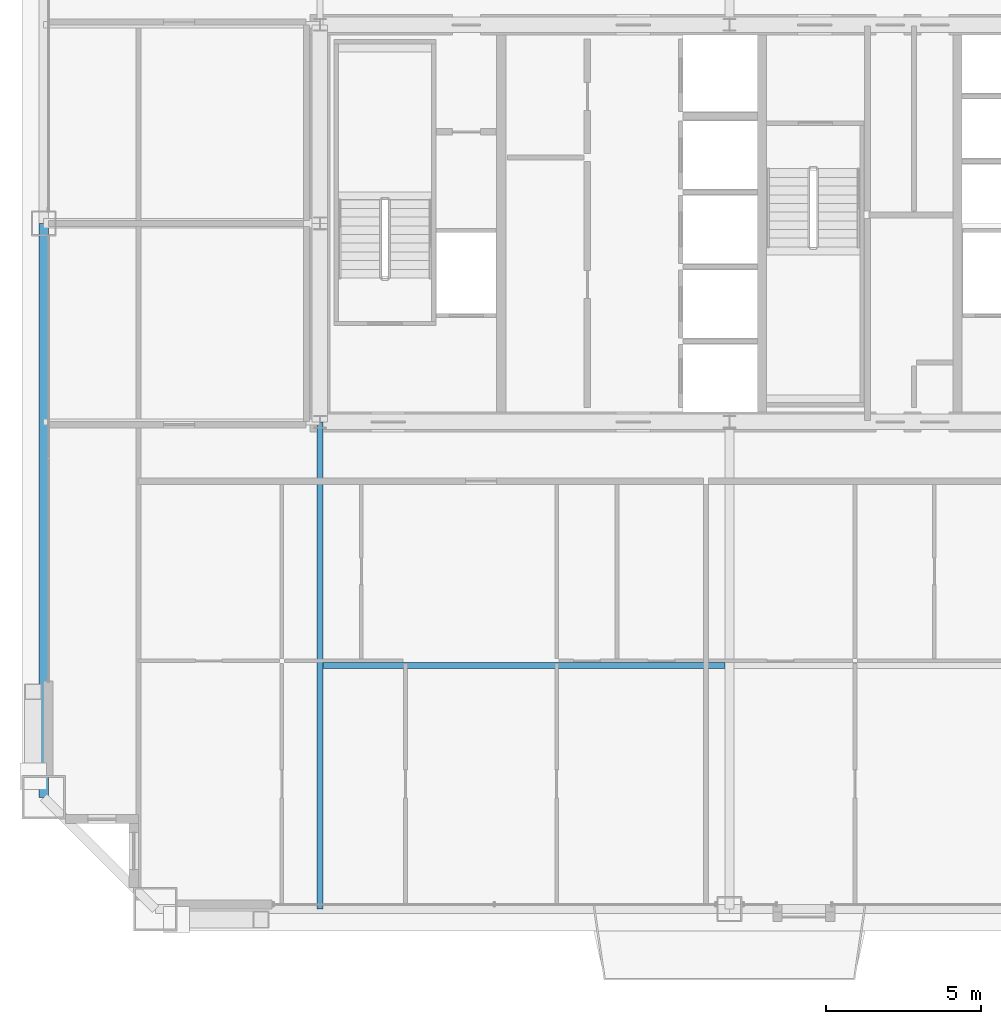
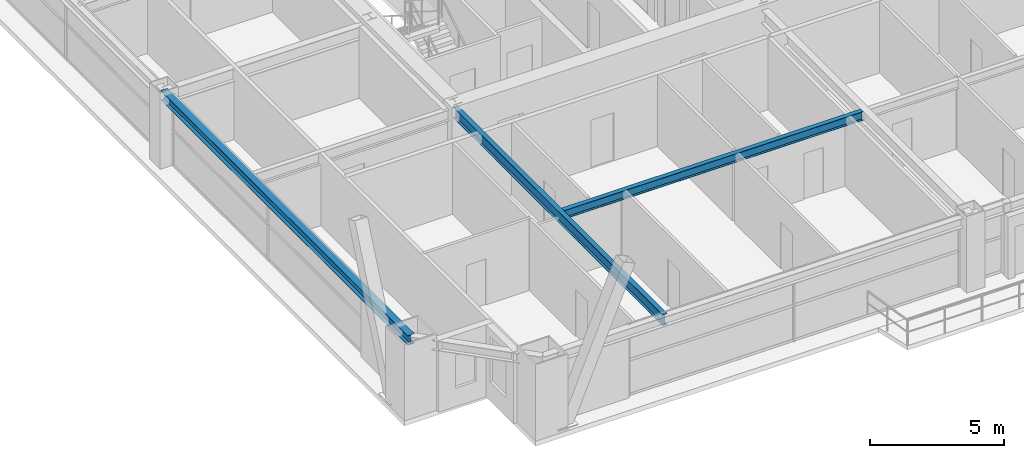
# One storey, part 9 of 45: 3 beams.
"""IFC4 building model written with IfcOpenShell, lengths in metres."""

from ifc_helpers import new_model, si_unit, direction, frame, origin, origin_2d, place, context, subcontext, project, spatial, i_section, extrude, source, transform, mapped, material, material_profile, profile_set, type_object, element, save


model = new_model("IFC4")

# Units and contexts
model_context = context("Model", 3, precision=1e-05, world=origin(), true_north=direction((0.0, 1.0)))
body_context = subcontext(model_context, "Body", "Model", "MODEL_VIEW")
ifc_project = project(units=[si_unit("LENGTHUNIT", "METRE"), si_unit("AREAUNIT", "SQUARE_METRE"), si_unit("VOLUMEUNIT", "CUBIC_METRE"), si_unit("PLANEANGLEUNIT", "RADIAN"), si_unit("MASSUNIT", "GRAM", prefix="KILO"), si_unit("THERMODYNAMICTEMPERATUREUNIT", "KELVIN"), si_unit("POWERUNIT", "WATT")], contexts=[model_context])

# Site, building, storey
site_placement = place(None, origin())
site = spatial("IfcSite", under=ifc_project, at=site_placement, CompositionType="ELEMENT")
building_placement = place(site_placement, origin())
building = spatial("IfcBuilding", under=site, at=building_placement, Name="Yuzanri Waterfront Tower", CompositionType="ELEMENT")
storey_placement = place(building_placement, frame((0.0, 0.0, 191.5)))
storey = spatial("IfcBuildingStorey", under=building, at=storey_placement, Name="L50", CompositionType="ELEMENT", Elevation=191.5)

# Beams
ifc_material_1 = material(Name="Steel Q355B", Category="steel")
ifc_material_profile_1 = material_profile(ifc_material_1, i_section(OverallWidth=0.199951171875, OverallDepth=0.39990234375, WebThickness=0.008056640625, FlangeThickness=0.012939453125, at=origin_2d()), Name="HN 400x200x8x13")
ifc_profile_set_1 = profile_set([ifc_material_profile_1], Name="Steel Q355B")
beam_type_1 = type_object("IfcBeamType", Name="Floor Joist Q355B HN 400x200", PredefinedType="JOIST", material=ifc_profile_set_1)
shared_shape_1 = source(origin(), body_context, "Body", "SweptSolid", [
    extrude(i_section(OverallWidth=0.199951171875, OverallDepth=0.39990234375, WebThickness=0.008056640625, FlangeThickness=0.012939453125, at=origin_2d()), origin(), (0.0, 0.0, 1.0), 12.9501953125),
])
beam_1_placement = place(storey_placement, frame((23.89990234375, 11.550048828125, 3.080078125), z_axis=(1.0, 0.0, 0.0), x_axis=(0.0, 1.0, 0.0)))
element("IfcBeam", 1, at=beam_1_placement, inside=storey, type_object=beam_type_1, Name="L50 South Bay Joist W", PredefinedType="JOIST", context=body_context, shape_type="MappedRepresentation", body=[
    mapped(shared_shape_1, transform((0.0, 0.0, 0.0), scale=1.0)),
])
ifc_material_2 = material(Name="Steel Q355B", Category="steel")
ifc_material_profile_2 = material_profile(ifc_material_2, i_section(OverallWidth=0.300048828125, OverallDepth=0.43994140625, WebThickness=0.010986328125, FlangeThickness=0.01806640625, at=origin_2d()), Name="HM 440x300x11x18")
ifc_profile_set_2 = profile_set([ifc_material_profile_2], Name="Steel Q355B")
beam_type_2 = type_object("IfcBeamType", Name="Perimeter Spandrel Q355B HM 440x300", PredefinedType="SPANDREL", material=ifc_profile_set_2)
shared_shape_2 = source(origin(), body_context, "Body", "SweptSolid", [
    extrude(i_section(OverallWidth=0.300048828125, OverallDepth=0.43994140625, WebThickness=0.010986328125, FlangeThickness=0.01806640625, at=origin_2d()), origin(), (0.0, 0.0, 1.0), 18.5),
])
beam_2_placement = place(storey_placement, frame((14.89990234375, 25.800048828125, 3.06005859375), z_axis=(0.0, -1.0, 0.0), x_axis=(1.0, 0.0, 0.0)))
element("IfcBeam", 2, at=beam_2_placement, inside=storey, type_object=beam_type_2, Name="L50 Perimeter Spandrel W2-W1", PredefinedType="SPANDREL", context=body_context, shape_type="MappedRepresentation", body=[
    mapped(shared_shape_2, transform((0.0, 0.0, 0.0), scale=1.0)),
])
ifc_material_3 = material(Name="Steel Q355B", Category="steel")
ifc_material_profile_3 = material_profile(ifc_material_3, i_section(OverallWidth=0.199951171875, OverallDepth=0.5, WebThickness=0.010009765625, FlangeThickness=0.01611328125, at=origin_2d()), Name="HN 500x200x10x16")
ifc_profile_set_3 = profile_set([ifc_material_profile_3], Name="Steel Q355B")
beam_type_3 = type_object("IfcBeamType", Name="Secondary Floor Beam Q355B HN 500x200", PredefinedType="BEAM", material=ifc_profile_set_3)
shared_shape_3 = source(origin(), body_context, "Body", "SweptSolid", [
    extrude(i_section(OverallWidth=0.199951171875, OverallDepth=0.5, WebThickness=0.010009765625, FlangeThickness=0.01611328125, at=origin_2d()), origin(), (0.0, 0.0, 1.0), 15.699951171875),
])
beam_3_placement = place(storey_placement, frame((23.800048828125, 19.39990234375, 3.030029296875), z_axis=(0.0, -1.0, 0.0), x_axis=(1.0, 0.0, 0.0)))
element("IfcBeam", 3, at=beam_3_placement, inside=storey, type_object=beam_type_3, Name="L50 South-West Core Line Beam", PredefinedType="BEAM", context=body_context, shape_type="MappedRepresentation", body=[
    mapped(shared_shape_3, transform((0.0, 0.0, 0.0), scale=1.0)),
])

save(model, "model.ifc")
